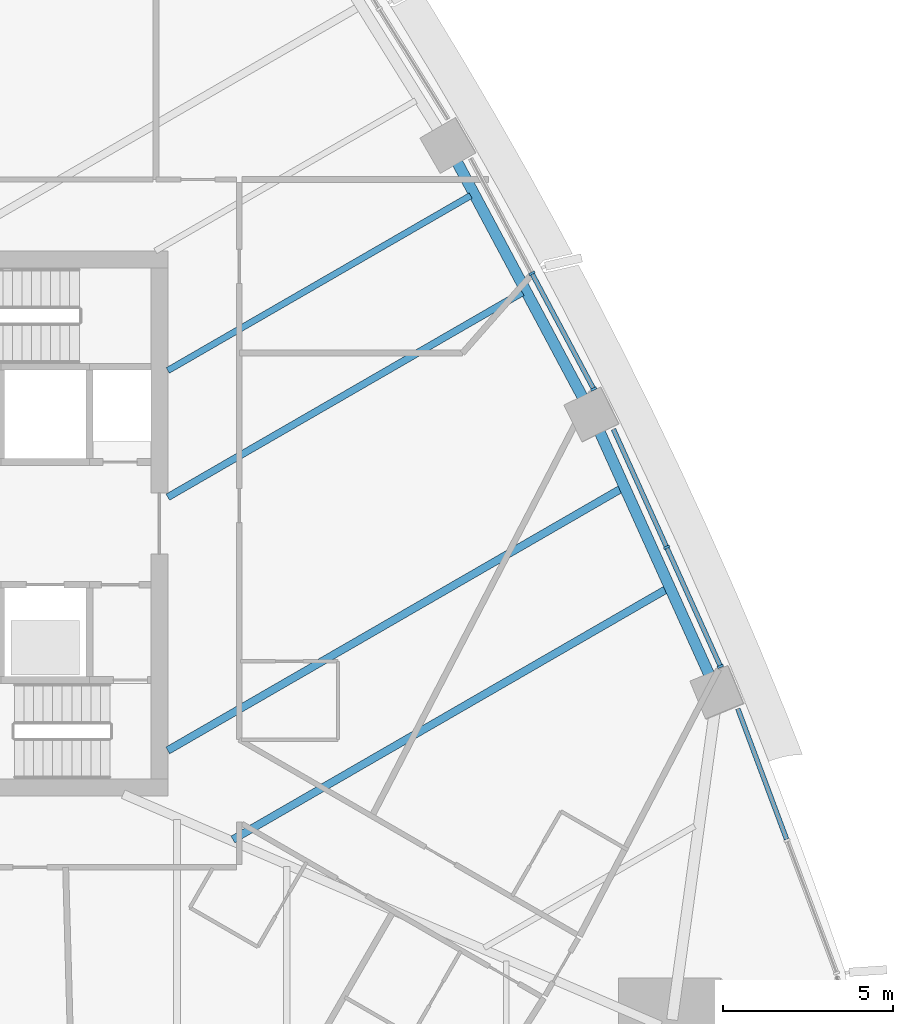
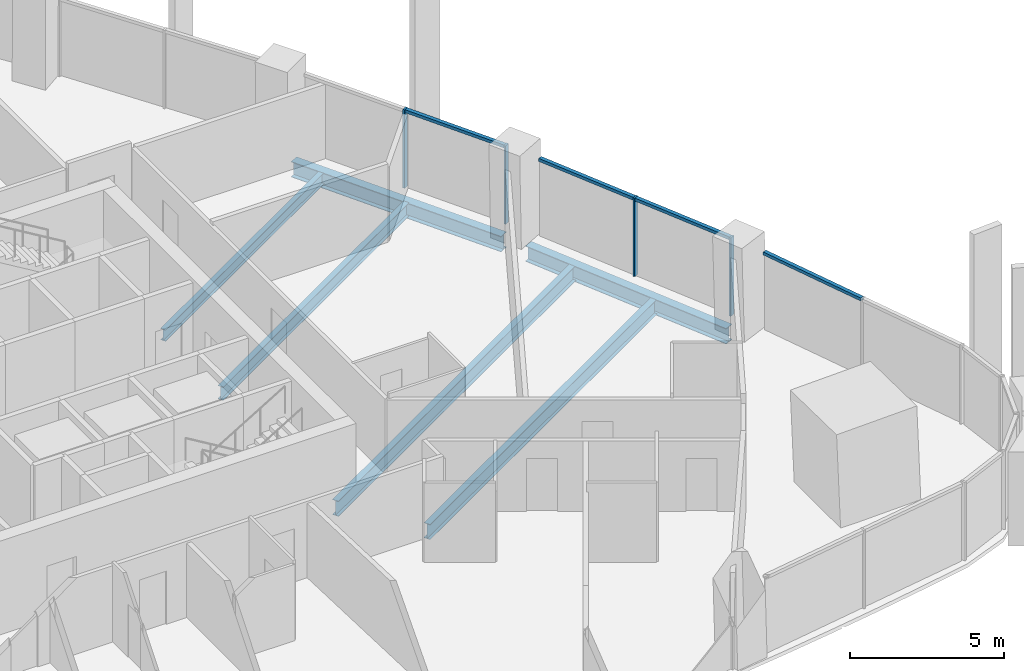
# One storey, part 5 of 22: 8 members, 6 beams, 3 elements without a shape of their own.
"""IFC4 building model written with IfcOpenShell, lengths in metres."""

from ifc_helpers import new_model, si_unit, direction, frame, origin, origin_2d, place, context, subcontext, project, spatial, rectangle, i_section, extrude, material, layer, layer_set, material_profile, profile_set, type_object, element, aggregate, save


model = new_model("IFC4")

# Units and contexts
model_context = context("Model", 3, precision=1e-05, world=origin(), true_north=direction((0.0, 1.0)))
body_context = subcontext(model_context, "Body", "Model", "MODEL_VIEW")
ifc_project = project(units=[si_unit("LENGTHUNIT", "METRE"), si_unit("AREAUNIT", "SQUARE_METRE"), si_unit("VOLUMEUNIT", "CUBIC_METRE"), si_unit("PLANEANGLEUNIT", "RADIAN"), si_unit("MASSUNIT", "GRAM", prefix="KILO")], contexts=[model_context])

# Site, building, storey
site_placement = place(None, origin())
site = spatial("IfcSite", under=ifc_project, at=site_placement, CompositionType="ELEMENT")
building_placement = place(site_placement, origin())
building = spatial("IfcBuilding", under=site, at=building_placement, Name="Sierra Prisma Convention Tower", CompositionType="ELEMENT")
storey_placement = place(building_placement, frame((0.0, 0.0, 96.10009765625)))
storey = spatial("IfcBuildingStorey", under=building, at=storey_placement, Name="L20", CompositionType="ELEMENT", Elevation=96.10009765625)

# Curtain wall, members
ifc_material_1 = material(Name="Aluminium and glass curtain wall", Category="aluminium")
ifc_layer = layer(ifc_material_1, 0.179931640625)
ifc_layer_set = layer_set([ifc_layer], Name="CW-1 Plain shaft curtain wall")
curtain_wall_type = type_object("IfcCurtainWallType", Name="CW-1 Plain shaft curtain wall", PredefinedType="NOTDEFINED", material=ifc_layer_set)
curtain_wall_1_placement = place(storey_placement, origin())
curtain_wall_1 = element("IfcCurtainWall", 1, at=curtain_wall_1_placement, inside=storey, type_object=curtain_wall_type, Name="CW-1 NE2 L20", PredefinedType="NOTDEFINED")
ifc_material_2 = material(Name="Aluminium 6063-T6 bronze anodised", Category="aluminium")
ifc_material_profile_1 = material_profile(ifc_material_2, rectangle(XDim=0.179931640625, YDim=0.070068359375, at=origin_2d()), Name="ALU MULLION 70x180")
ifc_profile_set_1 = profile_set([ifc_material_profile_1], Name="Aluminium 6063-T6 bronze anodised")
member_type_1 = type_object("IfcMemberType", Name="CW mullion bronze", PredefinedType="MULLION", material=ifc_profile_set_1)
member_1_placement = place(storey_placement, frame((27.230712890625, -4.19873046875, 0.0), z_axis=(0.0, 0.0, 1.0), x_axis=(-0.911531020141, -0.411231320939, 0.0)))
member_1 = element("IfcMember", 2, at=member_1_placement, type_object=member_type_1, Name="CW-1 mullion NE2.1", PredefinedType="MULLION", context=body_context, shape_type="SweptSolid", body=[
    extrude(rectangle(XDim=0.179931640625, YDim=0.070068359375, at=origin_2d()), origin(), (0.0, 0.0, 1.0), 3.099853515625),
])
member_2_placement = place(storey_placement, frame((25.65283203125, -0.701171875, 0.0), z_axis=(0.0, 0.0, 1.0), x_axis=(-0.911531020141, -0.411231320939, 0.0)))
member_2 = element("IfcMember", 3, at=member_2_placement, type_object=member_type_1, Name="CW-1 mullion NE2.2", PredefinedType="MULLION", context=body_context, shape_type="SweptSolid", body=[
    extrude(rectangle(XDim=0.179931640625, YDim=0.070068359375, at=origin_2d()), origin(), (0.0, 0.0, 1.0), 3.099853515625),
])

curtain_wall_2_placement = place(storey_placement, origin())
curtain_wall_2 = element("IfcCurtainWall", 4, at=curtain_wall_2_placement, inside=storey, type_object=curtain_wall_type, Name="CW-1 NE3 L20", PredefinedType="NOTDEFINED")
member_3_placement = place(storey_placement, frame((23.509033203125, 3.946533203125, 0.0), z_axis=(0.0, 0.0, 1.0), x_axis=(-0.882175615689, -0.470920569823, 0.0)))
member_3 = element("IfcMember", 5, at=member_3_placement, type_object=member_type_1, Name="CW-1 mullion NE3.1", PredefinedType="MULLION", context=body_context, shape_type="SweptSolid", body=[
    extrude(rectangle(XDim=0.179931640625, YDim=0.070068359375, at=origin_2d()), origin(), (0.0, 0.0, 1.0), 3.099853515625),
])
member_4_placement = place(storey_placement, frame((21.6943359375, 7.345703125, 0.0), z_axis=(0.0, 0.0, 1.0), x_axis=(-0.882175615689, -0.470920569823, 0.0)))
member_4 = element("IfcMember", 6, at=member_4_placement, type_object=member_type_1, Name="CW-1 mullion NE3.2", PredefinedType="MULLION", context=body_context, shape_type="SweptSolid", body=[
    extrude(rectangle(XDim=0.179931640625, YDim=0.070068359375, at=origin_2d()), origin(), (0.0, 0.0, 1.0), 3.099853515625),
])

# Curtain wall, member
curtain_wall_3_placement = place(storey_placement, origin())
curtain_wall_3 = element("IfcCurtainWall", 7, at=curtain_wall_3_placement, inside=storey, type_object=curtain_wall_type, Name="CW-1 NE1 L20", PredefinedType="NOTDEFINED")
ifc_material_3 = material(Name="Aluminium 6063-T6 bronze anodised", Category="aluminium")
ifc_material_profile_2 = material_profile(ifc_material_3, rectangle(XDim=0.139892578125, YDim=0.1201171875, at=origin_2d()), Name="ALU TRANSOM 120x140")
ifc_profile_set_2 = profile_set([ifc_material_profile_2], Name="Aluminium 6063-T6 bronze anodised")
member_type_2 = type_object("IfcMemberType", Name="CW transom bronze", PredefinedType="USERDEFINED", material=ifc_profile_set_2)
member_5_placement = place(storey_placement, frame((29.175048828125, -9.277587890625, 3.039794921875), z_axis=(-0.349716440025, 0.936855598039, 0.0), x_axis=(-0.936855598039, -0.349716440025, 0.0)))
member_5 = element("IfcMember", 8, at=member_5_placement, type_object=member_type_2, Name="CW-1 transom NE1.2", ObjectType="TRANSOM", PredefinedType="USERDEFINED", context=body_context, shape_type="SweptSolid", body=[
    extrude(rectangle(XDim=0.139892578125, YDim=0.1201171875, at=origin_2d()), origin(), (0.0, 0.0, 1.0), 4.089599609375),
])
aggregate(curtain_wall_3, [member_5])

# Member
member_6_placement = place(storey_placement, frame((27.216552734375, -4.166748046875, 3.039794921875), z_axis=(-0.411291493654, 0.911503871219, 0.0), x_axis=(-0.911503871219, -0.411291493654, 0.0)))
member_6 = element("IfcMember", 9, at=member_6_placement, type_object=member_type_2, Name="CW-1 transom NE2.1", ObjectType="TRANSOM", PredefinedType="USERDEFINED", context=body_context, shape_type="SweptSolid", body=[
    extrude(rectangle(XDim=0.139892578125, YDim=0.1201171875, at=origin_2d()), origin(), (0.0, 0.0, 1.0), 3.766845703125),
])

member_7_placement = place(storey_placement, frame((25.638671875, -0.669189453125, 3.039794921875), z_axis=(-0.411291493654, 0.911503871219, 0.0), x_axis=(-0.911503871219, -0.411291493654, 0.0)))
member_7 = element("IfcMember", 10, at=member_7_placement, type_object=member_type_2, Name="CW-1 transom NE2.2", ObjectType="TRANSOM", PredefinedType="USERDEFINED", context=body_context, shape_type="SweptSolid", body=[
    extrude(rectangle(XDim=0.139892578125, YDim=0.1201171875, at=origin_2d()), origin(), (0.0, 0.0, 1.0), 3.766845703125),
])

aggregate(curtain_wall_1, [member_1, member_2, member_6, member_7])

member_8_placement = place(storey_placement, frame((23.492431640625, 3.977294921875, 3.039794921875), z_axis=(-0.470906409896, 0.882183174357, 0.0), x_axis=(-0.882183174357, -0.470906409896, 0.0)))
member_8 = element("IfcMember", 11, at=member_8_placement, type_object=member_type_2, Name="CW-1 transom NE3.1", ObjectType="TRANSOM", PredefinedType="USERDEFINED", context=body_context, shape_type="SweptSolid", body=[
    extrude(rectangle(XDim=0.139892578125, YDim=0.1201171875, at=origin_2d()), origin(), (0.0, 0.0, 1.0), 3.783203125),
])

aggregate(curtain_wall_2, [member_3, member_4, member_8])

# Beams
ifc_material_4 = material(Name="Steel ASTM A992 Gr 50", Category="steel")
ifc_material_profile_3 = material_profile(ifc_material_4, i_section(OverallWidth=0.18994140625, OverallDepth=0.45703125, WebThickness=0.009033203125, FlangeThickness=0.014404296875, at=origin_2d()), Name="W460x74")
ifc_profile_set_3 = profile_set([ifc_material_profile_3], Name="Steel ASTM A992 Gr 50")
beam_type_1 = type_object("IfcBeamType", Name="Floor joist W460x74", PredefinedType="JOIST", material=ifc_profile_set_3)
beam_1_placement = place(storey_placement, frame((19.895751953125, 9.626953125, -0.378662109375), z_axis=(-0.866024495625, -0.500001572974, 0.0), x_axis=(0.500001572974, -0.866024495625, 0.0)))
element("IfcBeam", 12, at=beam_1_placement, inside=storey, type_object=beam_type_1, Name="Floor joist L20 NE08", PredefinedType="JOIST", context=body_context, shape_type="SweptSolid", body=[
    extrude(i_section(OverallWidth=0.18994140625, OverallDepth=0.45703125, WebThickness=0.009033203125, FlangeThickness=0.014404296875, at=origin_2d()), origin(), (0.0, 0.0, 1.0), 10.27197265625),
])
ifc_material_5 = material(Name="Steel ASTM A992 Gr 50", Category="steel")
ifc_material_profile_4 = material_profile(ifc_material_5, i_section(OverallWidth=0.208984375, OverallDepth=0.532958984375, WebThickness=0.01025390625, FlangeThickness=0.015625, at=origin_2d()), Name="W530x92")
ifc_profile_set_4 = profile_set([ifc_material_profile_4], Name="Steel ASTM A992 Gr 50")
beam_type_2 = type_object("IfcBeamType", Name="Floor joist W530x92", PredefinedType="JOIST", material=ifc_profile_set_4)
beam_2_placement = place(storey_placement, frame((21.413818359375, 6.783447265625, -0.41650390625), z_axis=(-0.866024311288, -0.500001892254, 0.0), x_axis=(0.500001892254, -0.866024311288, 0.0)))
element("IfcBeam", 13, at=beam_2_placement, inside=storey, type_object=beam_type_2, Name="Floor joist L20 NE07", PredefinedType="JOIST", context=body_context, shape_type="SweptSolid", body=[
    extrude(i_section(OverallWidth=0.208984375, OverallDepth=0.532958984375, WebThickness=0.01025390625, FlangeThickness=0.015625, at=origin_2d()), origin(), (0.0, 0.0, 1.0), 12.02490234375),
])
ifc_material_6 = material(Name="Steel ASTM A992 Gr 50", Category="steel")
ifc_material_profile_5 = material_profile(ifc_material_6, i_section(OverallWidth=0.22802734375, OverallDepth=0.60302734375, WebThickness=0.010498046875, FlangeThickness=0.014892578125, at=origin_2d()), Name="W610x101")
ifc_profile_set_5 = profile_set([ifc_material_profile_5], Name="Steel ASTM A992 Gr 50")
beam_type_3 = type_object("IfcBeamType", Name="Floor joist W610x101", PredefinedType="JOIST", material=ifc_profile_set_5)
beam_3_placement = place(storey_placement, frame((25.646240234375, -1.9326171875, -0.45166015625), z_axis=(-0.866028236097, -0.499995094258, 0.0), x_axis=(0.499995094258, -0.866028236097, 0.0)))
element("IfcBeam", 14, at=beam_3_placement, inside=storey, type_object=beam_type_3, Name="Floor joist L20 NE04", PredefinedType="JOIST", context=body_context, shape_type="SweptSolid", body=[
    extrude(i_section(OverallWidth=0.22802734375, OverallDepth=0.60302734375, WebThickness=0.010498046875, FlangeThickness=0.014892578125, at=origin_2d()), origin(), (0.0, 0.0, 1.0), 14.701904296875),
])
beam_4_placement = place(storey_placement, frame((24.314697265625, 1.0185546875, -0.45166015625), z_axis=(-0.866025071195, -0.500000576062, 0.0), x_axis=(0.500000576062, -0.866025071195, 0.0)))
element("IfcBeam", 15, at=beam_4_placement, inside=storey, type_object=beam_type_3, Name="Floor joist L20 NE05", PredefinedType="JOIST", context=body_context, shape_type="SweptSolid", body=[
    extrude(i_section(OverallWidth=0.22802734375, OverallDepth=0.60302734375, WebThickness=0.010498046875, FlangeThickness=0.014892578125, at=origin_2d()), origin(), (0.0, 0.0, 1.0), 15.37451171875),
])
ifc_material_7 = material(Name="Steel ASTM A992 Gr 50", Category="steel")
ifc_material_profile_6 = material_profile(ifc_material_7, i_section(OverallWidth=0.324951171875, OverallDepth=0.615966796875, WebThickness=0.013916015625, FlangeThickness=0.021484375, at=origin_2d()), Name="W610x174")
ifc_profile_set_6 = profile_set([ifc_material_profile_6], Name="Steel ASTM A992 Gr 50")
beam_type_4 = type_object("IfcBeamType", Name="Spandrel beam W610x174", PredefinedType="BEAM", material=ifc_profile_set_6)
for number, where, z_axis, x_axis, name in (
    (16, (26.943115234375, -4.532958984375, -0.4580078125), (-0.411233528566, 0.911530024181, 0.0), (-0.911530024181, -0.411233528566, 0.0), "Spandrel L20-08"),
    (17, (23.228759765625, 3.622314453125, -0.4580078125), (-0.470914433315, 0.882178891436, 0.0), (-0.882178891436, -0.470914433315, 0.0), "Spandrel L20-09"),
):
    element("IfcBeam", number, at=place(storey_placement, frame(where, z_axis=z_axis, x_axis=x_axis)), inside=storey, type_object=beam_type_4, Name=name, PredefinedType="BEAM", context=body_context, shape_type="SweptSolid", body=[
        extrude(i_section(OverallWidth=0.324951171875, OverallDepth=0.615966796875, WebThickness=0.013916015625, FlangeThickness=0.021484375, at=origin_2d()), origin(), (0.0, 0.0, 1.0), 8.001708984375),
    ])

save(model, "model.ifc")
